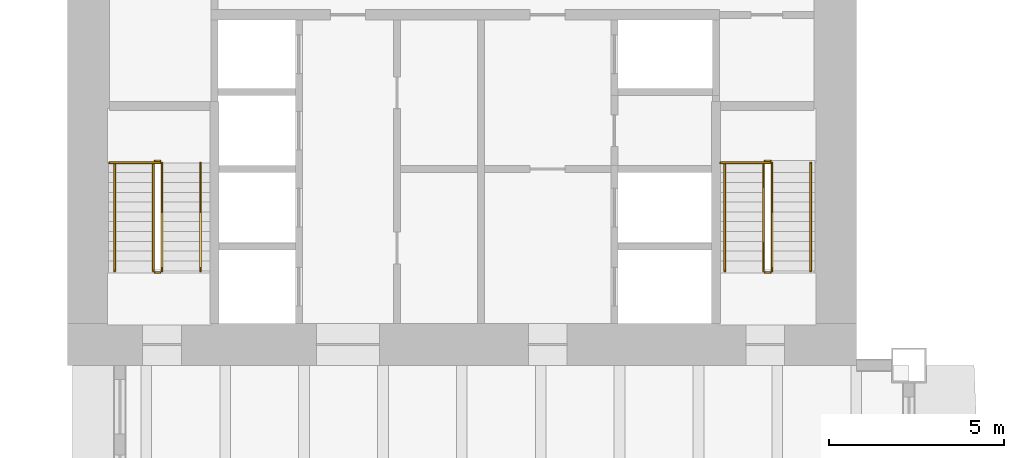
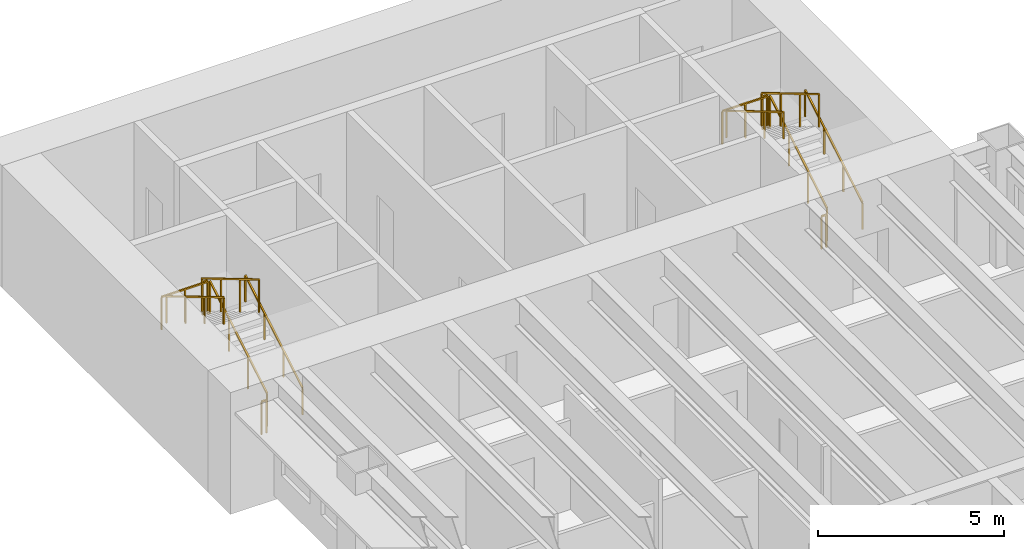
# One storey, part 16 of 16: 14 railings.
"""IFC4 building model written with IfcOpenShell, lengths in metres."""

import ifcopenshell
import ifcopenshell.guid

model = None  # the IFC model being written
_history = None  # IfcOwnerHistory: only IFC2X3 demands one
_inside = {}  # id of a spatial element -> (the spatial element, [elements in it])
_under = {}  # id of a project, library or spatial element -> (it, [spatial elements below it])
_declared = {}  # id of a project -> (the project, [libraries it declares])
_typed = {}  # id of a type object -> (the type object, [elements of that type])
_made_of = {}  # id of a material, layer set ... -> (it, [elements and type objects made of it])


def new_model(schema):
    """Start an empty IFC model of exactly this schema.

    Asked for "IFC4X3", IfcOpenShell would pick the latest addendum, in which some entities
    have other attributes; the version numbers below select the first issue.
    IFC2X3 requires an IfcOwnerHistory on every rooted entity: one is made here for all.
    """
    global model, _history
    if schema == "IFC4X3":
        model = ifcopenshell.file(schema_version=(4, 3, 0, 0))
    else:
        model = ifcopenshell.file(schema=schema)
    _inside.clear()
    _under.clear()
    _declared.clear()
    _typed.clear()
    _made_of.clear()
    _history = None
    if model.schema == "IFC2X3":
        org = make("IfcOrganization", Name="unknown")
        user = make(
            "IfcPersonAndOrganization",
            ThePerson=make("IfcPerson", FamilyName="unknown"),
            TheOrganization=org,
        )
        app = make(
            "IfcApplication",
            ApplicationDeveloper=org,
            Version="unknown",
            ApplicationFullName="unknown",
            ApplicationIdentifier="unknown",
        )
        _history = make(
            "IfcOwnerHistory",
            OwningUser=user,
            OwningApplication=app,
            ChangeAction="ADDED",
            CreationDate=0,
        )
    return model


def make(cls, **values):
    """One entity of the class cls with the attributes given. An attribute that is None is left unset."""
    return model.create_entity(
        cls, **{name: value for name, value in values.items() if value is not None}
    )


def rooted(cls, **values):
    """An entity with a GlobalId (a new one), such as an element, a storey or a relation."""
    return make(cls, GlobalId=ifcopenshell.guid.new(), OwnerHistory=_history, **values)


def si_unit(unit_type, name, prefix=None):
    """IfcSIUnit, for example si_unit("LENGTHUNIT", "METRE", prefix="MILLI")."""
    return make("IfcSIUnit", UnitType=unit_type, Prefix=prefix, Name=name)


def assignment(units):
    """IfcUnitAssignment: the units of a project."""
    return None if units is None else make("IfcUnitAssignment", Units=units)


def point(xyz):
    """IfcCartesianPoint."""
    return None if xyz is None else make("IfcCartesianPoint", Coordinates=xyz)


def direction(xyz):
    """IfcDirection."""
    return None if xyz is None else make("IfcDirection", DirectionRatios=xyz)


def frame(location, z_axis=None, x_axis=None):
    """IfcAxis2Placement3D, a coordinate frame: its origin and axes. An axis left out is left unset."""
    return make(
        "IfcAxis2Placement3D",
        Location=point(location),
        Axis=direction(z_axis),
        RefDirection=direction(x_axis),
    )


def frame_2d(location, x_axis=None):
    """IfcAxis2Placement2D, a coordinate frame in the plane: its origin and x axis."""
    return make(
        "IfcAxis2Placement2D", Location=point(location), RefDirection=direction(x_axis)
    )


def origin():
    """The frame at (0, 0, 0) with its axes left unset."""
    return frame((0.0, 0.0, 0.0))


def origin_2d():
    """The frame at (0, 0) in the plane with its x axis left unset."""
    return frame_2d((0.0, 0.0))


def place(relative_to, where):
    """IfcLocalPlacement: puts the frame where relative to a parent placement (None: the world)."""
    return make(
        "IfcLocalPlacement", PlacementRelTo=relative_to, RelativePlacement=where
    )


def context(
    kind, dimensions, precision=None, world=None, true_north=None, identifier=None
):
    """IfcGeometricRepresentationContext, for example the 3D "Model" context."""
    return make(
        "IfcGeometricRepresentationContext",
        ContextIdentifier=identifier,
        ContextType=kind,
        CoordinateSpaceDimension=dimensions,
        Precision=precision,
        WorldCoordinateSystem=world,
        TrueNorth=true_north,
    )


def subcontext(parent, identifier, kind, view, scale=None):
    """IfcGeometricRepresentationSubContext, for example "Body" below "Model"."""
    return make(
        "IfcGeometricRepresentationSubContext",
        ContextIdentifier=identifier,
        ContextType=kind,
        ParentContext=parent,
        TargetScale=scale,
        TargetView=view,
    )


def project(units=None, contexts=None):
    """IfcProject with its units and contexts."""
    return rooted(
        "IfcProject",
        Name="project",
        RepresentationContexts=contexts,
        UnitsInContext=assignment(units),
    )


def spatial(cls, under=None, at=None, **own):
    """A site, building, storey or space (cls), placed at a placement, below another one or the project."""
    s = rooted(cls, ObjectPlacement=at, **own)
    if under is not None:
        _under.setdefault(under.id(), (under, []))[1].append(s)
    return s


def profile(cls, at=None, kind="AREA", **sizes):
    """A parametric profile (cls). Its sizes go by their IFC names, for example OverallWidth=200.0."""
    return make(cls, ProfileType=kind, Position=at, **sizes)


def rectangle(**sizes):
    """IfcRectangleProfileDef."""
    return profile("IfcRectangleProfileDef", **sizes)


def extrude(swept, where, along, depth):
    """IfcExtrudedAreaSolid: the profile swept, set in the frame where, extruded along a direction by depth."""
    return make(
        "IfcExtrudedAreaSolid",
        SweptArea=swept,
        Position=where,
        ExtrudedDirection=direction(along),
        Depth=depth,
    )


def shape(context_of_items, identifier, shape_type, items):
    """IfcShapeRepresentation: the items that make up one representation, for example the "Body"."""
    return make(
        "IfcShapeRepresentation",
        ContextOfItems=context_of_items,
        RepresentationIdentifier=identifier,
        RepresentationType=shape_type,
        Items=items,
    )


def material(Name=None, Category=None):
    """IfcMaterial."""
    return make("IfcMaterial", Name=Name, Category=Category)


def made_of(thing, what):
    """Note that an element or type object is made of a material, layer set ...; save() writes the relation."""
    if what is not None:
        _made_of.setdefault(what.id(), (what, []))[1].append(thing)
    return thing


def type_object(cls, material=None, **own):
    """A type object (cls), such as IfcWallType, which elements share."""
    return made_of(rooted(cls, **own), material)


def element(
    cls,
    number,
    at=None,
    inside=None,
    cuts=None,
    type_object=None,
    material=None,
    context=None,
    identifier="Body",
    shape_type=None,
    held_by="IfcProductDefinitionShape",
    body=None,
    shapes=None,
    **own,
):
    """One element of the class cls, such as IfcWall. Its Tag is "e" and its number.

    at: its placement. inside: the storey or other place that contains it. cuts: it is an
    opening in that element (IfcRelVoidsElement). A single representation is given by context,
    identifier, shape_type and body (its items); several are given by shapes. held_by: the class
    of the entity that holds the representations. save() writes the other relations.
    """
    e = rooted(cls, Tag="e%d" % number, ObjectPlacement=at, **own)
    if body is not None:
        shapes = [shape(context, identifier, shape_type, body)]
    if shapes is not None:
        e.Representation = make(held_by, Representations=shapes)
    if inside is not None:
        _inside.setdefault(inside.id(), (inside, []))[1].append(e)
    if cuts is not None:
        rooted(
            "IfcRelVoidsElement", RelatingBuildingElement=cuts, RelatedOpeningElement=e
        )
    if type_object is not None:
        _typed.setdefault(type_object.id(), (type_object, []))[1].append(e)
    return made_of(e, material)


def aggregate(whole, parts):
    """IfcRelAggregates: a whole, such as a stair, and the parts it consists of."""
    return rooted("IfcRelAggregates", RelatingObject=whole, RelatedObjects=parts)


def save(model, path):
    """Write the relations noted so far, then the file.

    IfcRelAggregates (storeys below a building ...), IfcRelContainedInSpatialStructure (elements
    in a storey), IfcRelDefinesByType, IfcRelAssociatesMaterial and IfcRelDeclares: one each for
    every whole, place, type object, material and project.
    """
    for whole, parts in _under.values():
        aggregate(whole, parts)
    for where, things in _inside.values():
        rooted(
            "IfcRelContainedInSpatialStructure",
            RelatedElements=things,
            RelatingStructure=where,
        )
    for kind, things in _typed.values():
        rooted("IfcRelDefinesByType", RelatedObjects=things, RelatingType=kind)
    for what, things in _made_of.values():
        rooted("IfcRelAssociatesMaterial", RelatedObjects=things, RelatingMaterial=what)
    for by, libraries in _declared.values():
        rooted("IfcRelDeclares", RelatingContext=by, RelatedDefinitions=libraries)
    model.write(path)


model = new_model("IFC4")

# Units and contexts
model_context = context("Model", 3, precision=1e-05, world=origin(), true_north=direction((0.0, 1.0)))
body_context = subcontext(model_context, "Body", "Model", "MODEL_VIEW")
ifc_project = project(units=[si_unit("LENGTHUNIT", "METRE"), si_unit("AREAUNIT", "SQUARE_METRE"), si_unit("VOLUMEUNIT", "CUBIC_METRE"), si_unit("PLANEANGLEUNIT", "RADIAN"), si_unit("MASSUNIT", "GRAM", prefix="KILO")], contexts=[model_context])

# Site, building, storey
site_placement = place(None, origin())
site = spatial("IfcSite", under=ifc_project, at=site_placement, CompositionType="ELEMENT")
building_placement = place(site_placement, origin())
building = spatial("IfcBuilding", under=site, at=building_placement, Name="Sennacour Bend Tower", CompositionType="ELEMENT")
storey_placement = place(building_placement, frame((0.0, 0.0, 83.0)))
storey = spatial("IfcBuildingStorey", under=building, at=storey_placement, Name="L18", CompositionType="ELEMENT", Elevation=83.0)

# Railings
ifc_material = material(Name="Stainless steel", Category="steel")
railing_type_1 = type_object("IfcRailingType", Name="RL-GUARD-1100", PredefinedType="GUARDRAIL", material=ifc_material)
railing_1_placement = place(storey_placement, frame((2.699951171875, 38.699951171875, 0.166748046875)))
element("IfcRailing", 1, at=railing_1_placement, inside=storey, type_object=railing_type_1, Name="L18 SB1 stair guard 1", PredefinedType="GUARDRAIL", context=body_context, shape_type="SweptSolid", body=[
    extrude(rectangle(XDim=0.048095703125, YDim=0.048095703125, at=origin_2d()), frame((0.0, 0.0, 1.076171875), z_axis=(0.0, 0.859308565015, 0.511457515432), x_axis=(-1.0, 0.0, 0.0)), (0.0, 0.0, 1.0), 3.58447265625),
    extrude(rectangle(XDim=0.0419921875, YDim=0.0419921875, at=origin_2d()), origin(), (0.0, 0.0, 1.0), 1.052001953125),
    extrude(rectangle(XDim=0.0419921875, YDim=0.0419921875, at=origin_2d()), frame((0.0, 1.026611328125, 0.611083984375)), (0.0, 0.0, 1.0), 1.052001953125),
    extrude(rectangle(XDim=0.0419921875, YDim=0.0419921875, at=origin_2d()), frame((0.0, 2.053466796875, 1.22216796875)), (0.0, 0.0, 1.0), 1.052001953125),
    extrude(rectangle(XDim=0.0419921875, YDim=0.0419921875, at=origin_2d()), frame((0.0, 3.080078125, 1.833251953125)), (0.0, 0.0, 1.0), 1.052001953125),
])
railing_2_placement = place(storey_placement, frame((2.64990234375, 41.830078125, 2.0)))
element("IfcRailing", 2, at=railing_2_placement, inside=storey, type_object=railing_type_1, Name="L18 SB1 stair guard 2", PredefinedType="GUARDRAIL", context=body_context, shape_type="SweptSolid", body=[
    extrude(rectangle(XDim=0.048095703125, YDim=0.048095703125, at=origin_2d()), frame((0.0, 0.0, 1.076171875), z_axis=(-1.0, 0.0, 0.0), x_axis=(0.0, -1.0, 0.0)), (0.0, 0.0, 1.0), 0.14990234375),
    extrude(rectangle(XDim=0.0419921875, YDim=0.0419921875, at=origin_2d()), origin(), (0.0, 0.0, 1.0), 1.052001953125),
    extrude(rectangle(XDim=0.0419921875, YDim=0.0419921875, at=origin_2d()), frame((-0.14990234375, 0.0, 0.0)), (0.0, 0.0, 1.0), 1.052001953125),
])
railing_3_placement = place(storey_placement, frame((2.449951171875, 41.780029296875, 2.166748046875)))
element("IfcRailing", 3, at=railing_3_placement, inside=storey, type_object=railing_type_1, Name="L18 SB1 stair guard 4", PredefinedType="GUARDRAIL", context=body_context, shape_type="SweptSolid", body=[
    extrude(rectangle(XDim=0.048095703125, YDim=0.048095703125, at=origin_2d()), frame((0.0, 0.0, 1.076171875), z_axis=(0.0, -0.859308565015, 0.511457515432), x_axis=(1.0, 0.0, 0.0)), (0.0, 0.0, 1.0), 3.58447265625),
    extrude(rectangle(XDim=0.0419921875, YDim=0.0419921875, at=origin_2d()), origin(), (0.0, 0.0, 1.0), 1.052001953125),
    extrude(rectangle(XDim=0.0419921875, YDim=0.0419921875, at=origin_2d()), frame((0.0, -1.026611328125, 0.611083984375)), (0.0, 0.0, 1.0), 1.052001953125),
    extrude(rectangle(XDim=0.0419921875, YDim=0.0419921875, at=origin_2d()), frame((0.0, -2.053466796875, 1.22216796875)), (0.0, 0.0, 1.0), 1.052001953125),
    extrude(rectangle(XDim=0.0419921875, YDim=0.0419921875, at=origin_2d()), frame((0.0, -3.080078125, 1.833251953125)), (0.0, 0.0, 1.0), 1.052001953125),
])
railing_4_placement = place(storey_placement, frame((2.64990234375, 38.64990234375, 0.0)))
element("IfcRailing", 4, at=railing_4_placement, inside=storey, type_object=railing_type_1, Name="L18 SB1 stair guard 5", PredefinedType="GUARDRAIL", context=body_context, shape_type="SweptSolid", body=[
    extrude(rectangle(XDim=0.048095703125, YDim=0.048095703125, at=origin_2d()), frame((0.0, 0.0, 1.076171875), z_axis=(-1.0, 0.0, 0.0), x_axis=(0.0, -1.0, 0.0)), (0.0, 0.0, 1.0), 0.14990234375),
    extrude(rectangle(XDim=0.0419921875, YDim=0.0419921875, at=origin_2d()), origin(), (0.0, 0.0, 1.0), 1.052001953125),
    extrude(rectangle(XDim=0.0419921875, YDim=0.0419921875, at=origin_2d()), frame((-0.14990234375, 0.0, 0.0)), (0.0, 0.0, 1.0), 1.052001953125),
])
railing_5_placement = place(storey_placement, frame((2.64990234375, 41.780029296875, 2.0)))
element("IfcRailing", 5, at=railing_5_placement, inside=storey, type_object=railing_type_1, Name="L18 SB1 landing edge guard 41", PredefinedType="GUARDRAIL", context=body_context, shape_type="SweptSolid", body=[
    extrude(rectangle(XDim=0.048095703125, YDim=0.048095703125, at=origin_2d()), frame((0.0, 0.0, 1.076171875), z_axis=(-1.0, 0.0, 0.0), x_axis=(0.0, -1.0, 0.0)), (0.0, 0.0, 1.0), 1.449951171875),
    extrude(rectangle(XDim=0.0419921875, YDim=0.0419921875, at=origin_2d()), origin(), (0.0, 0.0, 1.0), 1.052001953125),
    extrude(rectangle(XDim=0.0419921875, YDim=0.0419921875, at=origin_2d()), frame((-0.72509765625, 0.0, 0.0)), (0.0, 0.0, 1.0), 1.052001953125),
    extrude(rectangle(XDim=0.0419921875, YDim=0.0419921875, at=origin_2d()), frame((-1.449951171875, 0.0, 0.0)), (0.0, 0.0, 1.0), 1.052001953125),
])
railing_6_placement = place(storey_placement, frame((20.10009765625, 38.699951171875, 0.166748046875)))
element("IfcRailing", 6, at=railing_6_placement, inside=storey, type_object=railing_type_1, Name="L18 SB2 stair guard 1", PredefinedType="GUARDRAIL", context=body_context, shape_type="SweptSolid", body=[
    extrude(rectangle(XDim=0.048095703125, YDim=0.048095703125, at=origin_2d()), frame((0.0, 0.0, 1.076171875), z_axis=(0.0, 0.859308565015, 0.511457515432), x_axis=(-1.0, 0.0, 0.0)), (0.0, 0.0, 1.0), 3.58447265625),
    extrude(rectangle(XDim=0.0419921875, YDim=0.0419921875, at=origin_2d()), origin(), (0.0, 0.0, 1.0), 1.052001953125),
    extrude(rectangle(XDim=0.0419921875, YDim=0.0419921875, at=origin_2d()), frame((0.0, 1.026611328125, 0.611083984375)), (0.0, 0.0, 1.0), 1.052001953125),
    extrude(rectangle(XDim=0.0419921875, YDim=0.0419921875, at=origin_2d()), frame((0.0, 2.053466796875, 1.22216796875)), (0.0, 0.0, 1.0), 1.052001953125),
    extrude(rectangle(XDim=0.0419921875, YDim=0.0419921875, at=origin_2d()), frame((0.0, 3.080078125, 1.833251953125)), (0.0, 0.0, 1.0), 1.052001953125),
])
railing_7_placement = place(storey_placement, frame((20.050048828125, 41.830078125, 2.0)))
element("IfcRailing", 7, at=railing_7_placement, inside=storey, type_object=railing_type_1, Name="L18 SB2 stair guard 2", PredefinedType="GUARDRAIL", context=body_context, shape_type="SweptSolid", body=[
    extrude(rectangle(XDim=0.048095703125, YDim=0.048095703125, at=origin_2d()), frame((0.0, 0.0, 1.076171875), z_axis=(-1.0, 0.0, 0.0), x_axis=(0.0, -1.0, 0.0)), (0.0, 0.0, 1.0), 0.150146484375),
    extrude(rectangle(XDim=0.0419921875, YDim=0.0419921875, at=origin_2d()), origin(), (0.0, 0.0, 1.0), 1.052001953125),
    extrude(rectangle(XDim=0.0419921875, YDim=0.0419921875, at=origin_2d()), frame((-0.150146484375, 0.0, 0.0)), (0.0, 0.0, 1.0), 1.052001953125),
])
railing_8_placement = place(storey_placement, frame((19.85009765625, 41.780029296875, 2.166748046875)))
element("IfcRailing", 8, at=railing_8_placement, inside=storey, type_object=railing_type_1, Name="L18 SB2 stair guard 4", PredefinedType="GUARDRAIL", context=body_context, shape_type="SweptSolid", body=[
    extrude(rectangle(XDim=0.048095703125, YDim=0.048095703125, at=origin_2d()), frame((0.0, 0.0, 1.076171875), z_axis=(0.0, -0.859308565015, 0.511457515432), x_axis=(1.0, 0.0, 0.0)), (0.0, 0.0, 1.0), 3.58447265625),
    extrude(rectangle(XDim=0.0419921875, YDim=0.0419921875, at=origin_2d()), origin(), (0.0, 0.0, 1.0), 1.052001953125),
    extrude(rectangle(XDim=0.0419921875, YDim=0.0419921875, at=origin_2d()), frame((0.0, -1.026611328125, 0.611083984375)), (0.0, 0.0, 1.0), 1.052001953125),
    extrude(rectangle(XDim=0.0419921875, YDim=0.0419921875, at=origin_2d()), frame((0.0, -2.053466796875, 1.22216796875)), (0.0, 0.0, 1.0), 1.052001953125),
    extrude(rectangle(XDim=0.0419921875, YDim=0.0419921875, at=origin_2d()), frame((0.0, -3.080078125, 1.833251953125)), (0.0, 0.0, 1.0), 1.052001953125),
])
railing_9_placement = place(storey_placement, frame((20.050048828125, 38.64990234375, 0.0)))
element("IfcRailing", 9, at=railing_9_placement, inside=storey, type_object=railing_type_1, Name="L18 SB2 stair guard 5", PredefinedType="GUARDRAIL", context=body_context, shape_type="SweptSolid", body=[
    extrude(rectangle(XDim=0.048095703125, YDim=0.048095703125, at=origin_2d()), frame((0.0, 0.0, 1.076171875), z_axis=(-1.0, 0.0, 0.0), x_axis=(0.0, -1.0, 0.0)), (0.0, 0.0, 1.0), 0.150146484375),
    extrude(rectangle(XDim=0.0419921875, YDim=0.0419921875, at=origin_2d()), origin(), (0.0, 0.0, 1.0), 1.052001953125),
    extrude(rectangle(XDim=0.0419921875, YDim=0.0419921875, at=origin_2d()), frame((-0.150146484375, 0.0, 0.0)), (0.0, 0.0, 1.0), 1.052001953125),
])
railing_10_placement = place(storey_placement, frame((20.050048828125, 41.780029296875, 2.0)))
element("IfcRailing", 10, at=railing_10_placement, inside=storey, type_object=railing_type_1, Name="L18 SB2 landing edge guard 31", PredefinedType="GUARDRAIL", context=body_context, shape_type="SweptSolid", body=[
    extrude(rectangle(XDim=0.048095703125, YDim=0.048095703125, at=origin_2d()), frame((0.0, 0.0, 1.076171875), z_axis=(-1.0, 0.0, 0.0), x_axis=(0.0, -1.0, 0.0)), (0.0, 0.0, 1.0), 1.425048828125),
    extrude(rectangle(XDim=0.0419921875, YDim=0.0419921875, at=origin_2d()), origin(), (0.0, 0.0, 1.0), 1.052001953125),
    extrude(rectangle(XDim=0.0419921875, YDim=0.0419921875, at=origin_2d()), frame((-0.71240234375, 0.0, 0.0)), (0.0, 0.0, 1.0), 1.052001953125),
    extrude(rectangle(XDim=0.0419921875, YDim=0.0419921875, at=origin_2d()), frame((-1.425048828125, 0.0, 0.0)), (0.0, 0.0, 1.0), 1.052001953125),
])
railing_type_2 = type_object("IfcRailingType", Name="RL-HANDRAIL-900", PredefinedType="HANDRAIL", material=ifc_material)
railing_11_placement = place(storey_placement, frame((3.800048828125, 38.699951171875, 0.166748046875)))
element("IfcRailing", 11, at=railing_11_placement, inside=storey, type_object=railing_type_2, Name="L18 SB1 stair handrail 1", PredefinedType="HANDRAIL", context=body_context, shape_type="SweptSolid", body=[
    extrude(rectangle(XDim=0.048095703125, YDim=0.048095703125, at=origin_2d()), frame((0.0, 0.0, 0.8759765625), z_axis=(0.0, 0.859308565015, 0.511457515432), x_axis=(-1.0, 0.0, 0.0)), (0.0, 0.0, 1.0), 3.58447265625),
    extrude(rectangle(XDim=0.0419921875, YDim=0.0419921875, at=origin_2d()), origin(), (0.0, 0.0, 1.0), 0.851806640625),
    extrude(rectangle(XDim=0.0419921875, YDim=0.0419921875, at=origin_2d()), frame((0.0, 1.026611328125, 0.611083984375)), (0.0, 0.0, 1.0), 0.851806640625),
    extrude(rectangle(XDim=0.0419921875, YDim=0.0419921875, at=origin_2d()), frame((0.0, 2.053466796875, 1.22216796875)), (0.0, 0.0, 1.0), 0.851806640625),
    extrude(rectangle(XDim=0.0419921875, YDim=0.0419921875, at=origin_2d()), frame((0.0, 3.080078125, 1.833251953125)), (0.0, 0.0, 1.0), 0.851806640625),
])
railing_12_placement = place(storey_placement, frame((1.35009765625, 41.780029296875, 2.166748046875)))
element("IfcRailing", 12, at=railing_12_placement, inside=storey, type_object=railing_type_2, Name="L18 SB1 stair handrail 2", PredefinedType="HANDRAIL", context=body_context, shape_type="SweptSolid", body=[
    extrude(rectangle(XDim=0.048095703125, YDim=0.048095703125, at=origin_2d()), frame((0.0, 0.0, 0.8759765625), z_axis=(0.0, -0.859308565015, 0.511457515432), x_axis=(1.0, 0.0, 0.0)), (0.0, 0.0, 1.0), 3.58447265625),
    extrude(rectangle(XDim=0.0419921875, YDim=0.0419921875, at=origin_2d()), origin(), (0.0, 0.0, 1.0), 0.851806640625),
    extrude(rectangle(XDim=0.0419921875, YDim=0.0419921875, at=origin_2d()), frame((0.0, -1.026611328125, 0.611083984375)), (0.0, 0.0, 1.0), 0.851806640625),
    extrude(rectangle(XDim=0.0419921875, YDim=0.0419921875, at=origin_2d()), frame((0.0, -2.053466796875, 1.22216796875)), (0.0, 0.0, 1.0), 0.851806640625),
    extrude(rectangle(XDim=0.0419921875, YDim=0.0419921875, at=origin_2d()), frame((0.0, -3.080078125, 1.833251953125)), (0.0, 0.0, 1.0), 0.851806640625),
])
railing_13_placement = place(storey_placement, frame((21.199951171875, 38.699951171875, 0.166748046875)))
element("IfcRailing", 13, at=railing_13_placement, inside=storey, type_object=railing_type_2, Name="L18 SB2 stair handrail 1", PredefinedType="HANDRAIL", context=body_context, shape_type="SweptSolid", body=[
    extrude(rectangle(XDim=0.048095703125, YDim=0.048095703125, at=origin_2d()), frame((0.0, 0.0, 0.8759765625), z_axis=(0.0, 0.859308565015, 0.511457515432), x_axis=(-1.0, 0.0, 0.0)), (0.0, 0.0, 1.0), 3.58447265625),
    extrude(rectangle(XDim=0.0419921875, YDim=0.0419921875, at=origin_2d()), origin(), (0.0, 0.0, 1.0), 0.851806640625),
    extrude(rectangle(XDim=0.0419921875, YDim=0.0419921875, at=origin_2d()), frame((0.0, 1.026611328125, 0.611083984375)), (0.0, 0.0, 1.0), 0.851806640625),
    extrude(rectangle(XDim=0.0419921875, YDim=0.0419921875, at=origin_2d()), frame((0.0, 2.053466796875, 1.22216796875)), (0.0, 0.0, 1.0), 0.851806640625),
    extrude(rectangle(XDim=0.0419921875, YDim=0.0419921875, at=origin_2d()), frame((0.0, 3.080078125, 1.833251953125)), (0.0, 0.0, 1.0), 0.851806640625),
])
railing_14_placement = place(storey_placement, frame((18.75, 41.780029296875, 2.166748046875)))
element("IfcRailing", 14, at=railing_14_placement, inside=storey, type_object=railing_type_2, Name="L18 SB2 stair handrail 2", PredefinedType="HANDRAIL", context=body_context, shape_type="SweptSolid", body=[
    extrude(rectangle(XDim=0.048095703125, YDim=0.048095703125, at=origin_2d()), frame((0.0, 0.0, 0.8759765625), z_axis=(0.0, -0.859308565015, 0.511457515432), x_axis=(1.0, 0.0, 0.0)), (0.0, 0.0, 1.0), 3.58447265625),
    extrude(rectangle(XDim=0.0419921875, YDim=0.0419921875, at=origin_2d()), origin(), (0.0, 0.0, 1.0), 0.851806640625),
    extrude(rectangle(XDim=0.0419921875, YDim=0.0419921875, at=origin_2d()), frame((0.0, -1.026611328125, 0.611083984375)), (0.0, 0.0, 1.0), 0.851806640625),
    extrude(rectangle(XDim=0.0419921875, YDim=0.0419921875, at=origin_2d()), frame((0.0, -2.053466796875, 1.22216796875)), (0.0, 0.0, 1.0), 0.851806640625),
    extrude(rectangle(XDim=0.0419921875, YDim=0.0419921875, at=origin_2d()), frame((0.0, -3.080078125, 1.833251953125)), (0.0, 0.0, 1.0), 0.851806640625),
])

save(model, "model.ifc")
